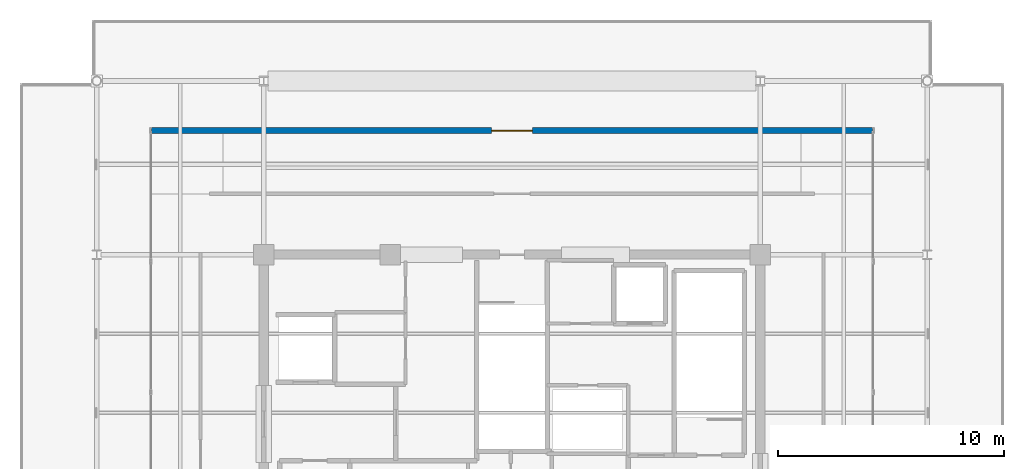
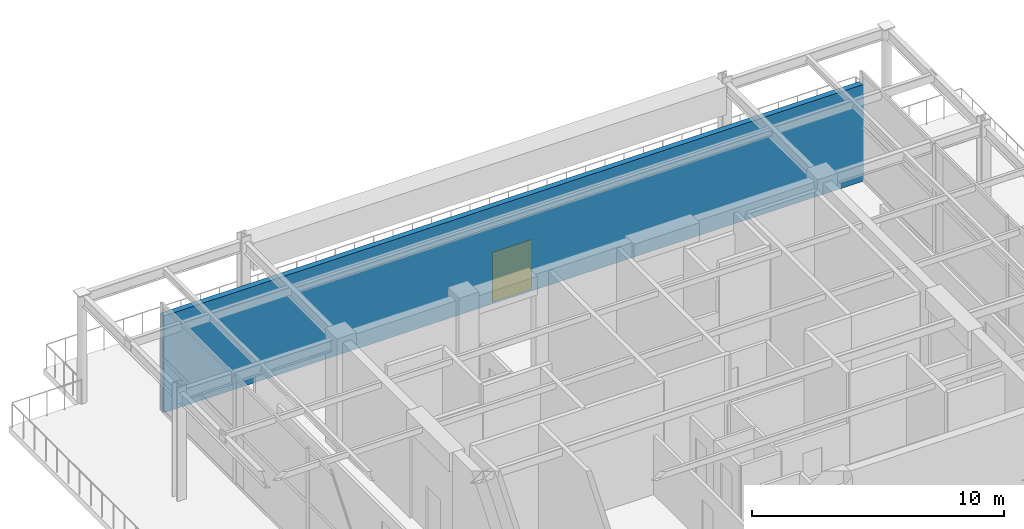
# One storey, part 15 of 16: 1 door, 1 wall, 1 opening.
"""IFC4 building model written with IfcOpenShell, lengths in metres."""

from ifc_helpers import new_model, si_unit, direction, frame, frame_2d, origin, place, context, subcontext, project, spatial, rectangle, extrude, material, layer, layer_set, type_object, element, fill, save


model = new_model("IFC4")

# Units and contexts
model_context = context("Model", 3, precision=1e-05, world=origin(), true_north=direction((0.0, 1.0)))
body_context = subcontext(model_context, "Body", "Model", "MODEL_VIEW")
ifc_project = project(units=[si_unit("LENGTHUNIT", "METRE"), si_unit("AREAUNIT", "SQUARE_METRE"), si_unit("VOLUMEUNIT", "CUBIC_METRE"), si_unit("PLANEANGLEUNIT", "RADIAN"), si_unit("MASSUNIT", "GRAM", prefix="KILO")], contexts=[model_context])

# Site, building, storey
site_placement = place(None, origin())
site = spatial("IfcSite", under=ifc_project, at=site_placement, CompositionType="ELEMENT")
building_placement = place(site_placement, origin())
building = spatial("IfcBuilding", under=site, at=building_placement, Name="Kovane Verandah Tower", CompositionType="ELEMENT")
storey_placement = place(building_placement, frame((0.0, 0.0, 354.300048828125)))
storey = spatial("IfcBuildingStorey", under=building, at=storey_placement, Name="L82", CompositionType="ELEMENT", Elevation=354.300048828125)

# Wall, opening, door
ifc_material_1 = material(Name="Concrete C45/55 Insulated Spandrel Wall", Category="concrete")
ifc_layer = layer(ifc_material_1, 0.260009765625)
ifc_layer_set = layer_set([ifc_layer], Name="Concrete C45/55 Insulated Spandrel Wall")
wall_type = type_object("IfcWallType", Name="WL-SPANDREL-260", PredefinedType="PARAPET", material=ifc_layer_set)
wall_placement = place(storey_placement, frame((56.0, 42.0, 0.0), z_axis=(0.0, 0.0, 1.0), x_axis=(-1.0, 0.0, 0.0)))
wall = element("IfcWall", 1, at=wall_placement, inside=storey, type_object=wall_type, Name="L82 Observation Vestibule N Wall", PredefinedType="PARAPET", context=body_context, shape_type="SweptSolid", body=[
    extrude(rectangle(XDim=32.0, YDim=0.260009765625, at=frame_2d((16.0, 0.0))), origin(), (0.0, 0.0, 1.0), 4.675537109375),
])
opening_placement = place(wall_placement, frame((15.10009765625, 0.0, 0.0)))
opening = element("IfcOpeningElement", 2, at=opening_placement, cuts=wall, Name="Opening DR-L82-006", PredefinedType="OPENING", context=body_context, shape_type="SweptSolid", body=[
    extrude(rectangle(XDim=1.800048828125, YDim=2.39990234375, at=frame_2d((0.89990234375, 1.199951171875))), frame((0.0, 0.1298828125, 0.0), z_axis=(0.0, -1.0, 0.0), x_axis=(1.0, 0.0, 0.0)), (0.0, 0.0, 1.0), 0.260009765625),
])
ifc_material_2 = material(Name="Cyclone-Rated Glazed Verandah Double Door", Category="aluminium")
door_type = type_object("IfcDoorType", Name="DR-TERR-1800x2400", OperationType="DOUBLE_DOOR_SINGLE_SWING", PredefinedType="DOOR", material=ifc_material_2)
door_placement = place(opening_placement, origin())
door = element("IfcDoor", 3, at=door_placement, inside=storey, type_object=door_type, Name="L82 N Open Observation Lookout Access Door", OperationType="DOUBLE_DOOR_SINGLE_SWING", OverallHeight=2.39990234375, OverallWidth=1.800048828125, PredefinedType="DOOR", context=body_context, shape_type="SweptSolid", body=[
    extrude(rectangle(XDim=1.800048828125, YDim=2.39990234375, at=frame_2d((0.89990234375, 1.199951171875))), frame((0.0, 0.02490234375, 0.0), z_axis=(0.0, -1.0, 0.0), x_axis=(1.0, 0.0, 0.0)), (0.0, 0.0, 1.0), 0.050048828125),
])
fill(opening, door)

save(model, "model.ifc")
